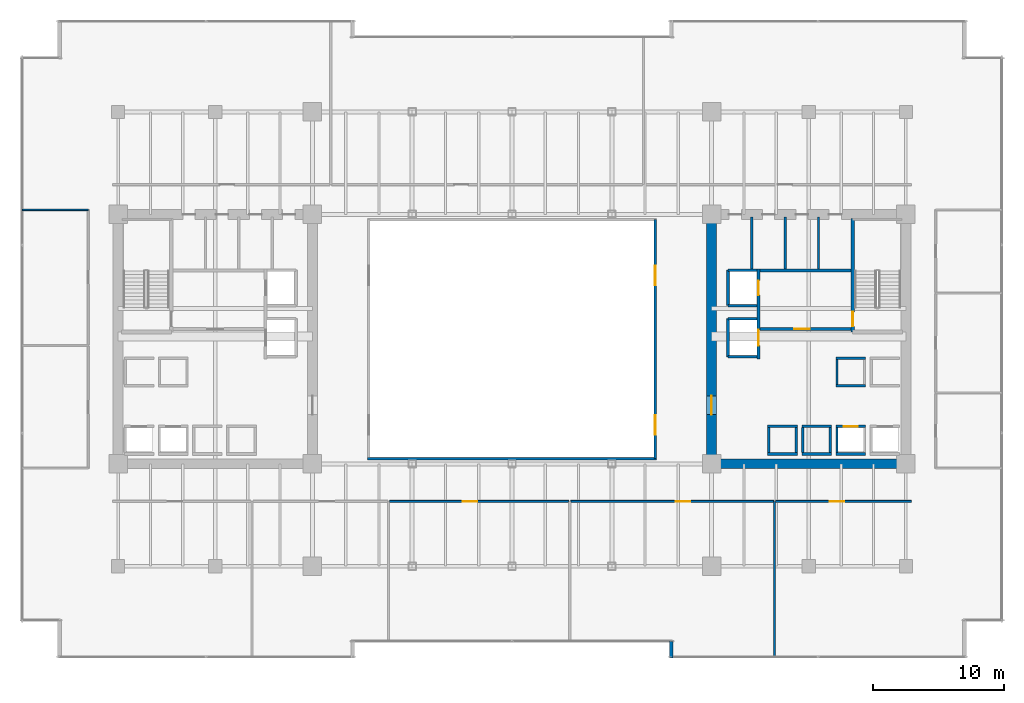
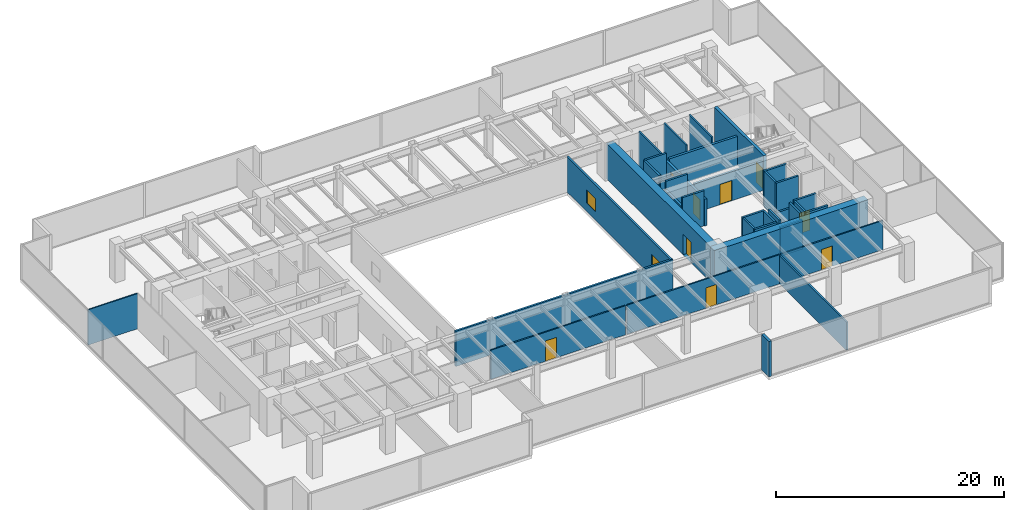
# One storey, part 30 of 35: 37 walls, 9 doors, 2 windows, 11 openings.
"""IFC4 building model written with IfcOpenShell, lengths in metres."""

import ifcopenshell
import ifcopenshell.guid

model = None  # the IFC model being written
_history = None  # IfcOwnerHistory: only IFC2X3 demands one
_inside = {}  # id of a spatial element -> (the spatial element, [elements in it])
_under = {}  # id of a project, library or spatial element -> (it, [spatial elements below it])
_declared = {}  # id of a project -> (the project, [libraries it declares])
_typed = {}  # id of a type object -> (the type object, [elements of that type])
_made_of = {}  # id of a material, layer set ... -> (it, [elements and type objects made of it])


def new_model(schema):
    """Start an empty IFC model of exactly this schema.

    Asked for "IFC4X3", IfcOpenShell would pick the latest addendum, in which some entities
    have other attributes; the version numbers below select the first issue.
    IFC2X3 requires an IfcOwnerHistory on every rooted entity: one is made here for all.
    """
    global model, _history
    if schema == "IFC4X3":
        model = ifcopenshell.file(schema_version=(4, 3, 0, 0))
    else:
        model = ifcopenshell.file(schema=schema)
    _inside.clear()
    _under.clear()
    _declared.clear()
    _typed.clear()
    _made_of.clear()
    _history = None
    if model.schema == "IFC2X3":
        org = make("IfcOrganization", Name="unknown")
        user = make(
            "IfcPersonAndOrganization",
            ThePerson=make("IfcPerson", FamilyName="unknown"),
            TheOrganization=org,
        )
        app = make(
            "IfcApplication",
            ApplicationDeveloper=org,
            Version="unknown",
            ApplicationFullName="unknown",
            ApplicationIdentifier="unknown",
        )
        _history = make(
            "IfcOwnerHistory",
            OwningUser=user,
            OwningApplication=app,
            ChangeAction="ADDED",
            CreationDate=0,
        )
    return model


def make(cls, **values):
    """One entity of the class cls with the attributes given. An attribute that is None is left unset."""
    return model.create_entity(
        cls, **{name: value for name, value in values.items() if value is not None}
    )


def rooted(cls, **values):
    """An entity with a GlobalId (a new one), such as an element, a storey or a relation."""
    return make(cls, GlobalId=ifcopenshell.guid.new(), OwnerHistory=_history, **values)


def si_unit(unit_type, name, prefix=None):
    """IfcSIUnit, for example si_unit("LENGTHUNIT", "METRE", prefix="MILLI")."""
    return make("IfcSIUnit", UnitType=unit_type, Prefix=prefix, Name=name)


def assignment(units):
    """IfcUnitAssignment: the units of a project."""
    return None if units is None else make("IfcUnitAssignment", Units=units)


def point(xyz):
    """IfcCartesianPoint."""
    return None if xyz is None else make("IfcCartesianPoint", Coordinates=xyz)


def direction(xyz):
    """IfcDirection."""
    return None if xyz is None else make("IfcDirection", DirectionRatios=xyz)


def frame(location, z_axis=None, x_axis=None):
    """IfcAxis2Placement3D, a coordinate frame: its origin and axes. An axis left out is left unset."""
    return make(
        "IfcAxis2Placement3D",
        Location=point(location),
        Axis=direction(z_axis),
        RefDirection=direction(x_axis),
    )


def frame_2d(location, x_axis=None):
    """IfcAxis2Placement2D, a coordinate frame in the plane: its origin and x axis."""
    return make(
        "IfcAxis2Placement2D", Location=point(location), RefDirection=direction(x_axis)
    )


def origin():
    """The frame at (0, 0, 0) with its axes left unset."""
    return frame((0.0, 0.0, 0.0))


def place(relative_to, where):
    """IfcLocalPlacement: puts the frame where relative to a parent placement (None: the world)."""
    return make(
        "IfcLocalPlacement", PlacementRelTo=relative_to, RelativePlacement=where
    )


def context(
    kind, dimensions, precision=None, world=None, true_north=None, identifier=None
):
    """IfcGeometricRepresentationContext, for example the 3D "Model" context."""
    return make(
        "IfcGeometricRepresentationContext",
        ContextIdentifier=identifier,
        ContextType=kind,
        CoordinateSpaceDimension=dimensions,
        Precision=precision,
        WorldCoordinateSystem=world,
        TrueNorth=true_north,
    )


def subcontext(parent, identifier, kind, view, scale=None):
    """IfcGeometricRepresentationSubContext, for example "Body" below "Model"."""
    return make(
        "IfcGeometricRepresentationSubContext",
        ContextIdentifier=identifier,
        ContextType=kind,
        ParentContext=parent,
        TargetScale=scale,
        TargetView=view,
    )


def project(units=None, contexts=None):
    """IfcProject with its units and contexts."""
    return rooted(
        "IfcProject",
        Name="project",
        RepresentationContexts=contexts,
        UnitsInContext=assignment(units),
    )


def spatial(cls, under=None, at=None, **own):
    """A site, building, storey or space (cls), placed at a placement, below another one or the project."""
    s = rooted(cls, ObjectPlacement=at, **own)
    if under is not None:
        _under.setdefault(under.id(), (under, []))[1].append(s)
    return s


def profile(cls, at=None, kind="AREA", **sizes):
    """A parametric profile (cls). Its sizes go by their IFC names, for example OverallWidth=200.0."""
    return make(cls, ProfileType=kind, Position=at, **sizes)


def rectangle(**sizes):
    """IfcRectangleProfileDef."""
    return profile("IfcRectangleProfileDef", **sizes)


def extrude(swept, where, along, depth):
    """IfcExtrudedAreaSolid: the profile swept, set in the frame where, extruded along a direction by depth."""
    return make(
        "IfcExtrudedAreaSolid",
        SweptArea=swept,
        Position=where,
        ExtrudedDirection=direction(along),
        Depth=depth,
    )


def shape(context_of_items, identifier, shape_type, items):
    """IfcShapeRepresentation: the items that make up one representation, for example the "Body"."""
    return make(
        "IfcShapeRepresentation",
        ContextOfItems=context_of_items,
        RepresentationIdentifier=identifier,
        RepresentationType=shape_type,
        Items=items,
    )


def source(mapping_origin, context_of_items, identifier, shape_type, items):
    """IfcRepresentationMap: a shape defined once, which mapped items show again and again."""
    return make(
        "IfcRepresentationMap",
        MappingOrigin=mapping_origin,
        MappedRepresentation=shape(context_of_items, identifier, shape_type, items),
    )


def transform(
    local_origin,
    x_axis=None,
    y_axis=None,
    z_axis=None,
    scale=None,
    scale2=None,
    scale3=None,
    uniform=True,
):
    """IfcCartesianTransformationOperator3D, or its non-uniform kind. x_axis, y_axis, z_axis: its Axis1, 2, 3."""
    if uniform:
        return make(
            "IfcCartesianTransformationOperator3D",
            Axis1=direction(x_axis),
            Axis2=direction(y_axis),
            LocalOrigin=point(local_origin),
            Scale=scale,
            Axis3=direction(z_axis),
        )
    return make(
        "IfcCartesianTransformationOperator3DnonUniform",
        Axis1=direction(x_axis),
        Axis2=direction(y_axis),
        LocalOrigin=point(local_origin),
        Scale=scale,
        Axis3=direction(z_axis),
        Scale2=scale2,
        Scale3=scale3,
    )


def mapped(mapping_source, mapping_target):
    """IfcMappedItem: shows the shape of a source again, moved by a transform."""
    return make(
        "IfcMappedItem", MappingSource=mapping_source, MappingTarget=mapping_target
    )


def material(Name=None, Category=None):
    """IfcMaterial."""
    return make("IfcMaterial", Name=Name, Category=Category)


def layer(
    of_material, thickness, ventilated=None, Name=None, Category=None, Priority=None
):
    """IfcMaterialLayer: one layer of a wall or slab, of a material (None: an air gap)."""
    return make(
        "IfcMaterialLayer",
        Material=of_material,
        LayerThickness=thickness,
        IsVentilated=ventilated,
        Name=Name,
        Category=Category,
        Priority=Priority,
    )


def layer_set(layers, Name=None):
    """IfcMaterialLayerSet."""
    return make("IfcMaterialLayerSet", MaterialLayers=layers, LayerSetName=Name)


def made_of(thing, what):
    """Note that an element or type object is made of a material, layer set ...; save() writes the relation."""
    if what is not None:
        _made_of.setdefault(what.id(), (what, []))[1].append(thing)
    return thing


def type_object(cls, material=None, **own):
    """A type object (cls), such as IfcWallType, which elements share."""
    return made_of(rooted(cls, **own), material)


def type_shapes(of_type, sources):
    """Give a type object the sources (RepresentationMaps) that its elements show as mapped items."""
    of_type.RepresentationMaps = sources


def element(
    cls,
    number,
    at=None,
    inside=None,
    cuts=None,
    type_object=None,
    material=None,
    context=None,
    identifier="Body",
    shape_type=None,
    held_by="IfcProductDefinitionShape",
    body=None,
    shapes=None,
    **own,
):
    """One element of the class cls, such as IfcWall. Its Tag is "e" and its number.

    at: its placement. inside: the storey or other place that contains it. cuts: it is an
    opening in that element (IfcRelVoidsElement). A single representation is given by context,
    identifier, shape_type and body (its items); several are given by shapes. held_by: the class
    of the entity that holds the representations. save() writes the other relations.
    """
    e = rooted(cls, Tag="e%d" % number, ObjectPlacement=at, **own)
    if body is not None:
        shapes = [shape(context, identifier, shape_type, body)]
    if shapes is not None:
        e.Representation = make(held_by, Representations=shapes)
    if inside is not None:
        _inside.setdefault(inside.id(), (inside, []))[1].append(e)
    if cuts is not None:
        rooted(
            "IfcRelVoidsElement", RelatingBuildingElement=cuts, RelatedOpeningElement=e
        )
    if type_object is not None:
        _typed.setdefault(type_object.id(), (type_object, []))[1].append(e)
    return made_of(e, material)


def fill(opening, filler):
    """IfcRelFillsElement: the door or window that sits in an opening."""
    return rooted(
        "IfcRelFillsElement",
        RelatingOpeningElement=opening,
        RelatedBuildingElement=filler,
    )


def aggregate(whole, parts):
    """IfcRelAggregates: a whole, such as a stair, and the parts it consists of."""
    return rooted("IfcRelAggregates", RelatingObject=whole, RelatedObjects=parts)


def save(model, path):
    """Write the relations noted so far, then the file.

    IfcRelAggregates (storeys below a building ...), IfcRelContainedInSpatialStructure (elements
    in a storey), IfcRelDefinesByType, IfcRelAssociatesMaterial and IfcRelDeclares: one each for
    every whole, place, type object, material and project.
    """
    for whole, parts in _under.values():
        aggregate(whole, parts)
    for where, things in _inside.values():
        rooted(
            "IfcRelContainedInSpatialStructure",
            RelatedElements=things,
            RelatingStructure=where,
        )
    for kind, things in _typed.values():
        rooted("IfcRelDefinesByType", RelatedObjects=things, RelatingType=kind)
    for what, things in _made_of.values():
        rooted("IfcRelAssociatesMaterial", RelatedObjects=things, RelatingMaterial=what)
    for by, libraries in _declared.values():
        rooted("IfcRelDeclares", RelatingContext=by, RelatedDefinitions=libraries)
    model.write(path)


model = new_model("IFC4")

# Units and contexts
model_context = context("Model", 3, precision=1e-05, world=origin(), true_north=direction((0.0, 1.0)))
body_context = subcontext(model_context, "Body", "Model", "MODEL_VIEW")
ifc_project = project(units=[si_unit("LENGTHUNIT", "METRE"), si_unit("AREAUNIT", "SQUARE_METRE"), si_unit("VOLUMEUNIT", "CUBIC_METRE"), si_unit("PLANEANGLEUNIT", "RADIAN"), si_unit("MASSUNIT", "GRAM", prefix="KILO")], contexts=[model_context])

# Site, building, storey
site_placement = place(None, origin())
site = spatial("IfcSite", under=ifc_project, at=site_placement, CompositionType="ELEMENT")
building_placement = place(site_placement, origin())
building = spatial("IfcBuilding", under=site, at=building_placement, Name="Haelvirn Gate Laboratories", CompositionType="ELEMENT")
storey_placement = place(building_placement, frame((0.0, 0.0, 82.60009765625)))
storey = spatial("IfcBuildingStorey", under=building, at=storey_placement, Name="L20", CompositionType="ELEMENT", Elevation=82.60009765625)

# Walls
ifc_material_1 = material(Name="Thermally-broken bronze aluminium rainscreen & mineral wool", Category="aluminium")
ifc_layer_1 = layer(ifc_material_1, 0.280029296875, Name="EW-TERR-280")
ifc_layer_set_1 = layer_set([ifc_layer_1], Name="Thermally-broken bronze aluminium rainscreen & mineral wool")
wall_type_1 = type_object("IfcWallType", Name="EW-TERR-280", PredefinedType="STANDARD", material=ifc_layer_set_1)
wall_1_placement = place(storey_placement, frame((49.5400390625, 1.2880859375, 0.0), z_axis=(0.0, 0.0, 1.0), x_axis=(0.0, -1.0, 0.0)))
element("IfcWall", 1, at=wall_1_placement, inside=storey, type_object=wall_type_1, Name="L20 Atrium Recess Bronze Return Wall 03", PredefinedType="STANDARD", context=body_context, shape_type="SweptSolid", body=[
    extrude(rectangle(XDim=1.2880859375, YDim=0.280029296875, at=frame_2d((0.64404296875, 0.0))), origin(), (0.0, 0.0, 1.0), 3.77978515625),
])
ifc_material_2 = material(Name="Double-layer acoustic gypsum laboratory partition", Category="gypsum")
ifc_layer_2 = layer(ifc_material_2, 0.159912109375, Name="IW-ACOUST-160")
ifc_layer_set_2 = layer_set([ifc_layer_2], Name="Double-layer acoustic gypsum laboratory partition")
wall_type_2 = type_object("IfcWallType", Name="IW-ACOUST-160", PredefinedType="PARTITIONING", material=ifc_layer_set_2)
wall_2_placement = place(storey_placement, frame((57.39990234375, 0.110107421875, 0.0), z_axis=(0.0, 0.0, 1.0), x_axis=(0.0, 1.0, 0.0)))
element("IfcWall", 2, at=wall_2_placement, inside=storey, type_object=wall_type_2, Name="L20 Interior Wall IW-L20-SDIV-04", PredefinedType="PARTITIONING", context=body_context, shape_type="SweptSolid", body=[
    extrude(rectangle(XDim=11.829833984375, YDim=0.159912109375, at=frame_2d((5.9150390625, 0.0))), origin(), (0.0, 0.0, 1.0), 3.014892578125),
])

# Wall, openings, windows
ifc_material_3 = material(Name="Tempered fire-rated borosilicate glass & anodised aluminium", Category="aluminium")
ifc_layer_3 = layer(ifc_material_3, 0.195068359375, Name="IW-GLAZ-200")
ifc_layer_set_3 = layer_set([ifc_layer_3], Name="Tempered fire-rated borosilicate glass & anodised aluminium")
wall_type_3 = type_object("IfcWallType", Name="IW-GLAZ-200", PredefinedType="SOLIDWALL", material=ifc_layer_set_3)
wall_3_placement = place(storey_placement, frame((48.300048828125, 15.199951171875, 0.0), z_axis=(0.0, 0.0, 1.0), x_axis=(0.0, 1.0, 0.0)))
wall_3 = element("IfcWall", 3, at=wall_3_placement, inside=storey, type_object=wall_type_3, Name="L20 Interior Wall IW-L20-ATRIUM-E", PredefinedType="SOLIDWALL", context=body_context, shape_type="SweptSolid", body=[
    extrude(rectangle(XDim=18.199951171875, YDim=0.195068359375, at=frame_2d((9.10009765625, 0.0))), origin(), (0.0, 0.0, 1.0), 3.77978515625),
])
opening_1_placement = place(wall_3_placement, frame((1.800048828125, 0.0, 0.89990234375)))
opening_1 = element("IfcOpeningElement", 4, at=opening_1_placement, cuts=wall_3, Name="Opening W5", PredefinedType="OPENING", context=body_context, shape_type="SweptSolid", body=[
    extrude(rectangle(XDim=1.5, YDim=1.39990234375, at=frame_2d((0.75, 0.699951171875))), frame((0.0, 0.107421875, 0.0), z_axis=(0.0, -1.0, 0.0), x_axis=(1.0, 0.0, 0.0)), (0.0, 0.0, 1.0), 0.215087890625),
])
opening_2_placement = place(wall_3_placement, frame((13.199951171875, 0.0, 0.89990234375)))
opening_2 = element("IfcOpeningElement", 5, at=opening_2_placement, cuts=wall_3, Name="Opening W5", PredefinedType="OPENING", context=body_context, shape_type="SweptSolid", body=[
    extrude(rectangle(XDim=1.5, YDim=1.39990234375, at=frame_2d((0.75, 0.699951171875))), frame((0.0, 0.107421875, 0.0), z_axis=(0.0, -1.0, 0.0), x_axis=(1.0, 0.0, 0.0)), (0.0, 0.0, 1.0), 0.215087890625),
])
ifc_material_4 = material(Name="Fire-rated EI 120 borosilicate atrium vision glazing", Category="glass")
window_type = type_object("IfcWindowType", Name="WN-ATR-1500", PartitioningType="SINGLE_PANEL", PredefinedType="WINDOW", material=ifc_material_4)
shared_shape_1 = source(origin(), body_context, "Body", "SweptSolid", [
    extrude(rectangle(XDim=1.5, YDim=1.39990234375, at=frame_2d((0.75, 0.699951171875))), frame((0.0, 0.030029296875, 0.0), z_axis=(0.0, -1.0, 0.0), x_axis=(1.0, 0.0, 0.0)), (0.0, 0.0, 1.0), 0.06005859375),
])
type_shapes(window_type, [shared_shape_1])
window_1_placement = place(opening_1_placement, origin())
window_1 = element("IfcWindow", 6, at=window_1_placement, inside=storey, type_object=window_type, Name="L20 Atrium Observation Window 1", OverallHeight=1.39990234375, OverallWidth=1.5, PartitioningType="SINGLE_PANEL", PredefinedType="WINDOW", context=body_context, shape_type="MappedRepresentation", body=[
    mapped(shared_shape_1, transform((0.0, 0.0, 0.0), scale=1.0)),
])
fill(opening_1, window_1)
window_2_placement = place(opening_2_placement, origin())
window_2 = element("IfcWindow", 7, at=window_2_placement, inside=storey, type_object=window_type, Name="L20 Atrium Observation Window 2", OverallHeight=1.39990234375, OverallWidth=1.5, PartitioningType="SINGLE_PANEL", PredefinedType="WINDOW", context=body_context, shape_type="MappedRepresentation", body=[
    mapped(shared_shape_1, transform((0.0, 0.0, 0.0), scale=1.0)),
])
fill(opening_2, window_2)

# Walls
wall_4_placement = place(storey_placement, frame((26.39990234375, 15.199951171875, 0.0), z_axis=(0.0, 0.0, 1.0), x_axis=(1.0, 0.0, 0.0)))
element("IfcWall", 8, at=wall_4_placement, inside=storey, type_object=wall_type_3, Name="L20 Interior Wall IW-L20-ATRIUM-S", PredefinedType="SOLIDWALL", context=body_context, shape_type="SweptSolid", body=[
    extrude(rectangle(XDim=22.0, YDim=0.195068359375, at=frame_2d((11.0, 0.0))), origin(), (0.0, 0.0, 1.0), 3.77978515625),
])
ifc_material_5 = material(Name="Lightweight acoustic gypsum board partition", Category="gypsum")
ifc_layer_4 = layer(ifc_material_5, 0.1201171875, Name="IW-PART-120")
ifc_layer_set_4 = layer_set([ifc_layer_4], Name="Lightweight acoustic gypsum board partition")
wall_type_4 = type_object("IfcWallType", Name="IW-PART-120", PredefinedType="PARTITIONING", material=ifc_layer_set_4)
wall_5_placement = place(storey_placement, frame((0.110107421875, 34.135009765625, 0.0), z_axis=(0.0, 0.0, 1.0), x_axis=(1.0, 0.0, 0.0)))
element("IfcWall", 9, at=wall_5_placement, inside=storey, type_object=wall_type_4, Name="L20 Interior Wall IW-L20-WCAP-N", PredefinedType="PARTITIONING", context=body_context, shape_type="SweptSolid", body=[
    extrude(rectangle(XDim=5.019775390625, YDim=0.1201171875, at=frame_2d((2.509765625, 0.0))), origin(), (0.0, 0.0, 1.0), 3.77978515625),
])

# Wall, opening, door
ifc_material_6 = material(Name="Acoustic mineral-wool gypsum board partition", Category="gypsum")
ifc_layer_5 = layer(ifc_material_6, 0.139892578125, Name="IW-PART-140")
ifc_layer_set_5 = layer_set([ifc_layer_5], Name="Acoustic mineral-wool gypsum board partition")
wall_type_5 = type_object("IfcWallType", Name="IW-PART-140", PredefinedType="PARTITIONING", material=ifc_layer_set_5)
wall_6_placement = place(storey_placement, frame((28.080078125, 11.93994140625, 0.0), z_axis=(0.0, 0.0, 1.0), x_axis=(1.0, 0.0, 0.0)))
wall_6 = element("IfcWall", 10, at=wall_6_placement, inside=storey, type_object=wall_type_5, Name="L20 Interior Wall IW-L20-SCORR-03", PredefinedType="PARTITIONING", context=body_context, shape_type="SweptSolid", body=[
    extrude(rectangle(XDim=13.639892578125, YDim=0.139892578125, at=frame_2d((6.81982421875, 0.0))), origin(), (0.0, 0.0, 1.0), 3.114990234375),
])
opening_3_placement = place(wall_6_placement, frame((5.5595703125, 0.0, 0.0)))
opening_3 = element("IfcOpeningElement", 11, at=opening_3_placement, cuts=wall_6, Name="Opening D1", PredefinedType="OPENING", context=body_context, shape_type="SweptSolid", body=[
    extrude(rectangle(XDim=1.10009765625, YDim=2.179931640625, at=frame_2d((0.550048828125, 1.08984375))), frame((0.0, 0.080078125, 0.0), z_axis=(0.0, -1.0, 0.0), x_axis=(1.0, 0.0, 0.0)), (0.0, 0.0, 1.0), 0.159912109375),
])
ifc_material_7 = material(Name="Vision-panel acoustic solid-core timber lab door", Category="wood")
door_type_1 = type_object("IfcDoorType", Name="DR-LAB-1100", OperationType="NOTDEFINED", PredefinedType="DOOR", material=ifc_material_7)
shared_shape_2 = source(origin(), body_context, "Body", "SweptSolid", [
    extrude(rectangle(XDim=1.10009765625, YDim=2.179931640625, at=frame_2d((0.550048828125, 1.08984375))), frame((0.0, 0.02490234375, 0.0), z_axis=(0.0, -1.0, 0.0), x_axis=(1.0, 0.0, 0.0)), (0.0, 0.0, 1.0), 0.050048828125),
])
type_shapes(door_type_1, [shared_shape_2])
door_1_placement = place(opening_3_placement, origin())
door_1 = element("IfcDoor", 12, at=door_1_placement, inside=storey, type_object=door_type_1, Name="L20 Peer-Review Seminar Room Door S3", OperationType="SINGLE_SWING_LEFT", OverallHeight=2.179931640625, OverallWidth=1.10009765625, PredefinedType="DOOR", context=body_context, shape_type="MappedRepresentation", body=[
    mapped(shared_shape_2, transform((0.0, 0.0, 0.0), scale=1.0)),
])
fill(opening_3, door_1)

wall_7_placement = place(storey_placement, frame((41.8798828125, 11.93994140625, 0.0), z_axis=(0.0, 0.0, 1.0), x_axis=(1.0, 0.0, 0.0)))
wall_7 = element("IfcWall", 13, at=wall_7_placement, inside=storey, type_object=wall_type_5, Name="L20 Interior Wall IW-L20-SCORR-04", PredefinedType="PARTITIONING", context=body_context, shape_type="SweptSolid", body=[
    extrude(rectangle(XDim=15.440185546875, YDim=0.139892578125, at=frame_2d((7.72021484375, 0.0))), origin(), (0.0, 0.0, 1.0), 3.114990234375),
])
opening_4_placement = place(wall_7_placement, frame((7.98828125, 0.0, 0.0)))
opening_4 = element("IfcOpeningElement", 14, at=opening_4_placement, cuts=wall_7, Name="Opening D1", PredefinedType="OPENING", context=body_context, shape_type="SweptSolid", body=[
    extrude(rectangle(XDim=1.10009765625, YDim=2.179931640625, at=frame_2d((0.550048828125, 1.08984375))), frame((0.0, 0.080078125, 0.0), z_axis=(0.0, -1.0, 0.0), x_axis=(1.0, 0.0, 0.0)), (0.0, 0.0, 1.0), 0.159912109375),
])
door_2_placement = place(opening_4_placement, origin())
door_2 = element("IfcDoor", 15, at=door_2_placement, inside=storey, type_object=door_type_1, Name="L20 Colloquium Conference Room Door S4", OperationType="SINGLE_SWING_RIGHT", OverallHeight=2.179931640625, OverallWidth=1.10009765625, PredefinedType="DOOR", context=body_context, shape_type="MappedRepresentation", body=[
    mapped(shared_shape_2, transform((0.0, 0.0, 0.0), scale=1.0)),
])
fill(opening_4, door_2)

wall_8_placement = place(storey_placement, frame((57.47998046875, 11.93994140625, 0.0), z_axis=(0.0, 0.0, 1.0), x_axis=(1.0, 0.0, 0.0)))
wall_8 = element("IfcWall", 16, at=wall_8_placement, inside=storey, type_object=wall_type_5, Name="L20 Interior Wall IW-L20-SCORR-05", PredefinedType="PARTITIONING", context=body_context, shape_type="SweptSolid", body=[
    extrude(rectangle(XDim=10.340087890625, YDim=0.139892578125, at=frame_2d((5.169921875, 0.0))), origin(), (0.0, 0.0, 1.0), 3.114990234375),
])
opening_5_placement = place(wall_8_placement, frame((4.107666015625, 0.0, 0.0)))
opening_5 = element("IfcOpeningElement", 17, at=opening_5_placement, cuts=wall_8, Name="Opening D1", PredefinedType="OPENING", context=body_context, shape_type="SweptSolid", body=[
    extrude(rectangle(XDim=1.10009765625, YDim=2.179931640625, at=frame_2d((0.550048828125, 1.08984375))), frame((0.0, 0.080078125, 0.0), z_axis=(0.0, -1.0, 0.0), x_axis=(1.0, 0.0, 0.0)), (0.0, 0.0, 1.0), 0.159912109375),
])
door_3_placement = place(opening_5_placement, origin())
door_3 = element("IfcDoor", 18, at=door_3_placement, inside=storey, type_object=door_type_1, Name="L20 Protocol Briefing Training Room Door S5", OperationType="SINGLE_SWING_LEFT", OverallHeight=2.179931640625, OverallWidth=1.10009765625, PredefinedType="DOOR", context=body_context, shape_type="MappedRepresentation", body=[
    mapped(shared_shape_2, transform((0.0, 0.0, 0.0), scale=1.0)),
])
fill(opening_5, door_3)

# Walls
ifc_material_8 = material(Name="Cement-board restroom plumbing chase wall", Category="gypsum")
ifc_layer_6 = layer(ifc_material_8, 0.155029296875, Name="IW-PLUMB-160")
ifc_layer_set_6 = layer_set([ifc_layer_6], Name="Cement-board restroom plumbing chase wall")
wall_type_6 = type_object("IfcWallType", Name="IW-PLUMB-160", PredefinedType="PLUMBINGWALL", material=ifc_layer_set_6)
for number, where, z_axis, x_axis, name in (
    (19, (60.760009765625, 29.64990234375, 0.0), (0.0, 0.0, 1.0), (0.0, 1.0, 0.0), "L20 Interior Wall IW-L20-E-CDIV-1"),
    (20, (58.2099609375, 29.64990234375, 0.0), (0.0, 0.0, 1.0), (0.0, 1.0, 0.0), "L20 Interior Wall IW-L20-E-CDIV-2"),
    (21, (55.659912109375, 29.64990234375, 0.0), (0.0, 0.0, 1.0), (0.0, 1.0, 0.0), "L20 Interior Wall IW-L20-E-CDIV-3"),
):
    element("IfcWall", number, at=place(storey_placement, frame(where, z_axis=z_axis, x_axis=x_axis)), inside=storey, type_object=wall_type_6, Name=name, PredefinedType="PLUMBINGWALL", context=body_context, shape_type="SweptSolid", body=[
        extrude(rectangle(XDim=3.93017578125, YDim=0.155029296875, at=frame_2d((1.965087890625, 0.0))), origin(), (0.0, 0.0, 1.0), 3.77978515625),
    ])
ifc_material_9 = material(Name="Concrete C40/50", Category="concrete")
ifc_layer_7 = layer(ifc_material_9, 0.179931640625, Name="IW-SHAFT-180")
ifc_layer_set_7 = layer_set([ifc_layer_7], Name="Concrete C40/50")
wall_type_7 = type_object("IfcWallType", Name="IW-SHAFT-180", PredefinedType="SOLIDWALL", material=ifc_layer_set_7)
for number, where, z_axis, x_axis, name in (
    (22, (62.14990234375, 15.64990234375, 0.0), (0.0, 0.0, 1.0), (0.0, 1.0, 0.0), "L20 Interior Wall IW-L20-PL4-SD"),
    (23, (59.550048828125, 15.64990234375, 0.0), (0.0, 0.0, 1.0), (0.0, 1.0, 0.0), "L20 Interior Wall IW-L20-PL7-SD"),
    (24, (61.64990234375, 15.64990234375, 0.0), (0.0, 0.0, 1.0), (0.0, 1.0, 0.0), "L20 Interior Wall IW-L20-PL7-SDE"),
    (25, (56.949951171875, 15.64990234375, 0.0), (0.0, 0.0, 1.0), (0.0, 1.0, 0.0), "L20 Interior Wall IW-L20-PL8-SD"),
    (26, (59.050048828125, 15.64990234375, 0.0), (0.0, 0.0, 1.0), (0.0, 1.0, 0.0), "L20 Interior Wall IW-L20-PL8-SDE"),
):
    element("IfcWall", number, at=place(storey_placement, frame(where, z_axis=z_axis, x_axis=x_axis)), inside=storey, type_object=wall_type_7, Name=name, PredefinedType="SOLIDWALL", context=body_context, shape_type="SweptSolid", body=[
        extrude(rectangle(XDim=1.900146484375, YDim=0.179931640625, at=frame_2d((0.9501953125, 0.0))), origin(), (0.0, 0.0, 1.0), 3.77978515625),
    ])
wall_9_placement = place(storey_placement, frame((62.14990234375, 20.85009765625, 0.0), z_axis=(0.0, 0.0, 1.0), x_axis=(0.0, 1.0, 0.0)))
element("IfcWall", 27, at=wall_9_placement, inside=storey, type_object=wall_type_7, Name="L20 Interior Wall IW-L20-PL12-SD", PredefinedType="SOLIDWALL", context=body_context, shape_type="SweptSolid", body=[
    extrude(rectangle(XDim=1.89990234375, YDim=0.179931640625, at=frame_2d((0.949951171875, 0.0))), origin(), (0.0, 0.0, 1.0), 3.77978515625),
])

# Wall, opening, door
ifc_layer_8 = layer(ifc_material_9, 0.199951171875, Name="IW-SHAFT-200")
ifc_layer_set_8 = layer_set([ifc_layer_8], Name="Concrete C40/50")
wall_type_8 = type_object("IfcWallType", Name="IW-SHAFT-200", PredefinedType="SOLIDWALL", material=ifc_layer_set_8)
wall_10_placement = place(storey_placement, frame((62.070068359375, 17.64990234375, 0.0), z_axis=(0.0, 0.0, 1.0), x_axis=(1.0, 0.0, 0.0)))
wall_10 = element("IfcWall", 28, at=wall_10_placement, inside=storey, type_object=wall_type_8, Name="L20 Interior Wall IW-L20-PL4-FR", PredefinedType="SOLIDWALL", context=body_context, shape_type="SweptSolid", body=[
    extrude(rectangle(XDim=2.260009765625, YDim=0.199951171875, at=frame_2d((1.1298828125, 0.0))), origin(), (0.0, 0.0, 1.0), 3.77978515625),
])
opening_6_placement = place(wall_10_placement, frame((0.580078125, 0.0, 0.0)))
opening_6 = element("IfcOpeningElement", 29, at=opening_6_placement, cuts=wall_10, Name="Opening LD2", PredefinedType="OPENING", context=body_context, shape_type="SweptSolid", body=[
    extrude(rectangle(XDim=1.10009765625, YDim=2.219970703125, at=frame_2d((0.550048828125, 1.10986328125))), frame((0.0, 0.10986328125, 0.0), z_axis=(0.0, -1.0, 0.0), x_axis=(1.0, 0.0, 0.0)), (0.0, 0.0, 1.0), 0.219970703125),
])
ifc_material_10 = material(Name="Bronze stainless 316L sliding lift landing door")
door_type_2 = type_object("IfcDoorType", Name="DR-LD-1100", OperationType="NOTDEFINED", PredefinedType="USERDEFINED", material=ifc_material_10)
shared_shape_3 = source(origin(), body_context, "Body", "SweptSolid", [
    extrude(rectangle(XDim=1.10009765625, YDim=2.219970703125, at=frame_2d((0.550048828125, 1.10986328125))), frame((0.0, 0.02490234375, 0.0), z_axis=(0.0, -1.0, 0.0), x_axis=(1.0, 0.0, 0.0)), (0.0, 0.0, 1.0), 0.050048828125),
])
type_shapes(door_type_2, [shared_shape_3])
door_4_placement = place(opening_6_placement, origin())
door_4 = element("IfcDoor", 30, at=door_4_placement, inside=storey, type_object=door_type_2, Name="L20 Passenger Lift PL4 Landing Door", ObjectType="LANDING_DOOR", OperationType="SLIDING_TO_RIGHT", OverallHeight=2.219970703125, OverallWidth=1.10009765625, PredefinedType="USERDEFINED", context=body_context, shape_type="MappedRepresentation", body=[
    mapped(shared_shape_3, transform((0.0, 0.0, 0.0), scale=1.0)),
])
fill(opening_6, door_4)

# Walls
wall_11_placement = place(storey_placement, frame((62.070068359375, 15.550048828125, 0.0), z_axis=(0.0, 0.0, 1.0), x_axis=(1.0, 0.0, 0.0)))
element("IfcWall", 31, at=wall_11_placement, inside=storey, type_object=wall_type_8, Name="L20 Interior Wall IW-L20-PL4-BK", PredefinedType="SOLIDWALL", context=body_context, shape_type="SweptSolid", body=[
    extrude(rectangle(XDim=2.260009765625, YDim=0.199951171875, at=frame_2d((1.1298828125, 0.0))), origin(), (0.0, 0.0, 1.0), 3.77978515625),
])
for number, where, z_axis, x_axis, name in (
    (32, (59.469970703125, 17.64990234375, 0.0), (0.0, 0.0, 1.0), (1.0, 0.0, 0.0), "L20 Interior Wall IW-L20-PL7-FR"),
    (33, (59.469970703125, 15.550048828125, 0.0), (0.0, 0.0, 1.0), (1.0, 0.0, 0.0), "L20 Interior Wall IW-L20-PL7-BK"),
):
    element("IfcWall", number, at=place(storey_placement, frame(where, z_axis=z_axis, x_axis=x_axis)), inside=storey, type_object=wall_type_8, Name=name, PredefinedType="SOLIDWALL", context=body_context, shape_type="SweptSolid", body=[
        extrude(rectangle(XDim=2.260009765625, YDim=0.199951171875, at=frame_2d((1.1298828125, 0.0))), origin(), (0.0, 0.0, 1.0), 3.114990234375),
    ])
for number, where, z_axis, x_axis, name in (
    (34, (56.8701171875, 17.64990234375, 0.0), (0.0, 0.0, 1.0), (1.0, 0.0, 0.0), "L20 Interior Wall IW-L20-PL8-FR"),
    (35, (56.8701171875, 15.550048828125, 0.0), (0.0, 0.0, 1.0), (1.0, 0.0, 0.0), "L20 Interior Wall IW-L20-PL8-BK"),
):
    element("IfcWall", number, at=place(storey_placement, frame(where, z_axis=z_axis, x_axis=x_axis)), inside=storey, type_object=wall_type_8, Name=name, PredefinedType="SOLIDWALL", context=body_context, shape_type="SweptSolid", body=[
        extrude(rectangle(XDim=2.259765625, YDim=0.199951171875, at=frame_2d((1.1298828125, 0.0))), origin(), (0.0, 0.0, 1.0), 3.77978515625),
    ])
for number, where, z_axis, x_axis, name in (
    (36, (62.070068359375, 20.75, 0.0), (0.0, 0.0, 1.0), (1.0, 0.0, 0.0), "L20 Interior Wall IW-L20-PL12-FR"),
    (37, (62.070068359375, 22.85009765625, 0.0), (0.0, 0.0, 1.0), (1.0, 0.0, 0.0), "L20 Interior Wall IW-L20-PL12-BK"),
):
    element("IfcWall", number, at=place(storey_placement, frame(where, z_axis=z_axis, x_axis=x_axis)), inside=storey, type_object=wall_type_8, Name=name, PredefinedType="SOLIDWALL", context=body_context, shape_type="SweptSolid", body=[
        extrude(rectangle(XDim=2.260009765625, YDim=0.199951171875, at=frame_2d((1.1298828125, 0.0))), origin(), (0.0, 0.0, 1.0), 3.77978515625),
    ])
wall_12_placement = place(storey_placement, frame((53.85009765625, 26.85009765625, 0.0), z_axis=(0.0, 0.0, 1.0), x_axis=(0.0, 1.0, 0.0)))
element("IfcWall", 38, at=wall_12_placement, inside=storey, type_object=wall_type_8, Name="L20 Interior Wall IW-L20-FL2-BK", PredefinedType="SOLIDWALL", context=body_context, shape_type="SweptSolid", body=[
    extrude(rectangle(XDim=2.699951171875, YDim=0.199951171875, at=frame_2d((1.35009765625, 0.0))), origin(), (0.0, 0.0, 1.0), 3.77978515625),
])
wall_13_placement = place(storey_placement, frame((53.85009765625, 29.550048828125, 0.0), z_axis=(0.0, 0.0, 1.0), x_axis=(1.0, 0.0, 0.0)))
element("IfcWall", 39, at=wall_13_placement, inside=storey, type_object=wall_type_8, Name="L20 Interior Wall IW-L20-FL2-N", PredefinedType="SOLIDWALL", context=body_context, shape_type="SweptSolid", body=[
    extrude(rectangle(XDim=2.18994140625, YDim=0.199951171875, at=frame_2d((1.094970703125, 0.0))), origin(), (0.0, 0.0, 1.0), 3.77978515625),
])
wall_14_placement = place(storey_placement, frame((53.85009765625, 26.85009765625, 0.0), z_axis=(0.0, 0.0, 1.0), x_axis=(1.0, 0.0, 0.0)))
element("IfcWall", 40, at=wall_14_placement, inside=storey, type_object=wall_type_8, Name="L20 Interior Wall IW-L20-FL2-S", PredefinedType="SOLIDWALL", context=body_context, shape_type="SweptSolid", body=[
    extrude(rectangle(XDim=2.18994140625, YDim=0.199951171875, at=frame_2d((1.094970703125, 0.0))), origin(), (0.0, 0.0, 1.0), 3.177001953125),
])
wall_15_placement = place(storey_placement, frame((53.85009765625, 22.949951171875, 0.0), z_axis=(0.0, 0.0, 1.0), x_axis=(0.0, 1.0, 0.0)))
element("IfcWall", 41, at=wall_15_placement, inside=storey, type_object=wall_type_8, Name="L20 Interior Wall IW-L20-SL2-BK", PredefinedType="SOLIDWALL", context=body_context, shape_type="SweptSolid", body=[
    extrude(rectangle(XDim=2.900146484375, YDim=0.199951171875, at=frame_2d((1.4501953125, 0.0))), origin(), (0.0, 0.0, 1.0), 2.864990234375),
])
for number, where, z_axis, x_axis, name in (
    (42, (53.85009765625, 25.85009765625, 0.0), (0.0, 0.0, 1.0), (1.0, 0.0, 0.0), "L20 Interior Wall IW-L20-SL2-N"),
    (43, (53.85009765625, 22.949951171875, 0.0), (0.0, 0.0, 1.0), (1.0, 0.0, 0.0), "L20 Interior Wall IW-L20-SL2-S"),
):
    element("IfcWall", number, at=place(storey_placement, frame(where, z_axis=z_axis, x_axis=x_axis)), inside=storey, type_object=wall_type_8, Name=name, PredefinedType="SOLIDWALL", context=body_context, shape_type="SweptSolid", body=[
        extrude(rectangle(XDim=2.18994140625, YDim=0.199951171875, at=frame_2d((1.094970703125, 0.0))), origin(), (0.0, 0.0, 1.0), 3.77978515625),
    ])

# Wall, opening, door
ifc_layer_9 = layer(ifc_material_9, 0.239990234375, Name="IW-SHAFT-240")
ifc_layer_set_9 = layer_set([ifc_layer_9], Name="Concrete C40/50")
wall_type_9 = type_object("IfcWallType", Name="IW-SHAFT-240", PredefinedType="SOLIDWALL", material=ifc_layer_set_9)
wall_16_placement = place(storey_placement, frame((56.280029296875, 25.080078125, 0.0), z_axis=(0.0, 0.0, 1.0), x_axis=(1.0, 0.0, 0.0)))
wall_16 = element("IfcWall", 44, at=wall_16_placement, inside=storey, type_object=wall_type_9, Name="L20 Interior Wall IW-L20-E-FF-S", PredefinedType="SOLIDWALL", context=body_context, shape_type="SweptSolid", body=[
    extrude(rectangle(XDim=6.919921875, YDim=0.239990234375, at=frame_2d((3.4599609375, 0.0))), origin(), (0.0, 0.0, 1.0), 3.114990234375),
])
opening_7_placement = place(wall_16_placement, frame((2.60009765625, 0.0, 0.0)))
opening_7 = element("IfcOpeningElement", 45, at=opening_7_placement, cuts=wall_16, Name="Opening FD2", PredefinedType="OPENING", context=body_context, shape_type="SweptSolid", body=[
    extrude(rectangle(XDim=1.199951171875, YDim=2.159912109375, at=frame_2d((0.60009765625, 1.080078125))), frame((0.0, 0.1298828125, 0.0), z_axis=(0.0, -1.0, 0.0), x_axis=(1.0, 0.0, 0.0)), (0.0, 0.0, 1.0), 0.260009765625),
])
ifc_material_11 = material(Name="Fire-rated steel SM355 compartment door", Category="steel")
door_type_3 = type_object("IfcDoorType", Name="DR-FD-1200", OperationType="NOTDEFINED", PredefinedType="DOOR", material=ifc_material_11)
shared_shape_4 = source(origin(), body_context, "Body", "SweptSolid", [
    extrude(rectangle(XDim=1.199951171875, YDim=2.159912109375, at=frame_2d((0.60009765625, 1.080078125))), frame((0.0, 0.02490234375, 0.0), z_axis=(0.0, -1.0, 0.0), x_axis=(1.0, 0.0, 0.0)), (0.0, 0.0, 1.0), 0.050048828125),
])
type_shapes(door_type_3, [shared_shape_4])
door_5_placement = place(opening_7_placement, origin())
door_5 = element("IfcDoor", 46, at=door_5_placement, inside=storey, type_object=door_type_3, Name="L20 East Firefighting Lobby Door", OperationType="SINGLE_SWING_LEFT", OverallHeight=2.159912109375, OverallWidth=1.199951171875, PredefinedType="DOOR", context=body_context, shape_type="MappedRepresentation", body=[
    mapped(shared_shape_4, transform((0.0, 0.0, 0.0), scale=1.0)),
])
fill(opening_7, door_5)

# Wall
wall_17_placement = place(storey_placement, frame((56.280029296875, 29.52001953125, 0.0), z_axis=(0.0, 0.0, 1.0), x_axis=(1.0, 0.0, 0.0)))
element("IfcWall", 47, at=wall_17_placement, inside=storey, type_object=wall_type_9, Name="L20 Interior Wall IW-L20-E-FF-N", PredefinedType="SOLIDWALL", context=body_context, shape_type="SweptSolid", body=[
    extrude(rectangle(XDim=6.919921875, YDim=0.239990234375, at=frame_2d((3.4599609375, 0.0))), origin(), (0.0, 0.0, 1.0), 3.114990234375),
])

# Wall, openings, doors
wall_18_placement = place(storey_placement, frame((56.159912109375, 22.800048828125, 0.0), z_axis=(0.0, 0.0, 1.0), x_axis=(0.0, 1.0, 0.0)))
wall_18 = element("IfcWall", 48, at=wall_18_placement, inside=storey, type_object=wall_type_9, Name="L20 Interior Wall IW-L20-E-FF-E", PredefinedType="SOLIDWALL", context=body_context, shape_type="SweptSolid", body=[
    extrude(rectangle(XDim=6.849853515625, YDim=0.239990234375, at=frame_2d((3.4248046875, 0.0))), origin(), (0.0, 0.0, 1.0), 2.864990234375),
])
opening_8_placement = place(wall_18_placement, frame((4.85009765625, 0.0, 0.0)))
opening_8 = element("IfcOpeningElement", 49, at=opening_8_placement, cuts=wall_18, Name="Opening LD2", PredefinedType="OPENING", context=body_context, shape_type="SweptSolid", body=[
    extrude(rectangle(XDim=1.10009765625, YDim=2.219970703125, at=frame_2d((0.550048828125, 1.10986328125))), frame((0.0, 0.1298828125, 0.0), z_axis=(0.0, -1.0, 0.0), x_axis=(1.0, 0.0, 0.0)), (0.0, 0.0, 1.0), 0.260009765625),
])
opening_9_placement = place(wall_18_placement, frame((1.0, 0.0, 0.0)))
opening_9 = element("IfcOpeningElement", 50, at=opening_9_placement, cuts=wall_18, Name="Opening LD1", PredefinedType="OPENING", context=body_context, shape_type="SweptSolid", body=[
    extrude(rectangle(XDim=1.199951171875, YDim=2.219970703125, at=frame_2d((0.60009765625, 1.10986328125))), frame((0.0, 0.1298828125, 0.0), z_axis=(0.0, -1.0, 0.0), x_axis=(1.0, 0.0, 0.0)), (0.0, 0.0, 1.0), 0.260009765625),
])
door_6_placement = place(opening_8_placement, origin())
door_6 = element("IfcDoor", 51, at=door_6_placement, inside=storey, type_object=door_type_2, Name="L20 Firefighting Lift FL2 Landing Door", ObjectType="LANDING_DOOR", OperationType="SLIDING_TO_RIGHT", OverallHeight=2.219970703125, OverallWidth=1.10009765625, PredefinedType="USERDEFINED", context=body_context, shape_type="MappedRepresentation", body=[
    mapped(shared_shape_3, transform((0.0, 0.0, 0.0), scale=1.0)),
])
fill(opening_8, door_6)
ifc_material_12 = material(Name="Stainless steel 316L sliding goods landing door", Category="steel")
door_type_4 = type_object("IfcDoorType", Name="DR-LD-1200", OperationType="NOTDEFINED", PredefinedType="USERDEFINED", material=ifc_material_12)
shared_shape_5 = source(origin(), body_context, "Body", "SweptSolid", [
    extrude(rectangle(XDim=1.199951171875, YDim=2.219970703125, at=frame_2d((0.60009765625, 1.10986328125))), frame((0.0, 0.02490234375, 0.0), z_axis=(0.0, -1.0, 0.0), x_axis=(1.0, 0.0, 0.0)), (0.0, 0.0, 1.0), 0.050048828125),
])
type_shapes(door_type_4, [shared_shape_5])
door_7_placement = place(opening_9_placement, origin())
door_7 = element("IfcDoor", 52, at=door_7_placement, inside=storey, type_object=door_type_4, Name="L20 Service Lift SL2 Landing Door", ObjectType="LANDING_DOOR", OperationType="SLIDING_TO_LEFT", OverallHeight=2.219970703125, OverallWidth=1.199951171875, PredefinedType="USERDEFINED", context=body_context, shape_type="MappedRepresentation", body=[
    mapped(shared_shape_5, transform((0.0, 0.0, 0.0), scale=1.0)),
])
fill(opening_9, door_7)

# Wall
ifc_material_13 = material(Name="Concrete C70/85", Category="concrete")
ifc_layer_10 = layer(ifc_material_13, 0.75, Name="SW-CORE-750")
ifc_layer_set_10 = layer_set([ifc_layer_10], Name="Concrete C70/85")
wall_type_10 = type_object("IfcWallType", Name="SW-CORE-750", PredefinedType="SHEAR", material=ifc_layer_set_10)
wall_19_placement = place(storey_placement, frame((52.22509765625, 14.800048828125, 0.0), z_axis=(0.0, 0.0, 1.0), x_axis=(1.0, 0.0, 0.0)))
element("IfcWall", 53, at=wall_19_placement, inside=storey, type_object=wall_type_10, Name="L20 E Core Shear Wall S", PredefinedType="SHEAR", context=body_context, shape_type="SweptSolid", body=[
    extrude(rectangle(XDim=15.5498046875, YDim=0.75, at=frame_2d((7.77490234375, 0.0))), origin(), (0.0, 0.0, 1.0), 3.77978515625),
])

# Wall, opening, door
wall_20_placement = place(storey_placement, frame((52.60009765625, 15.175048828125, 0.0), z_axis=(0.0, 0.0, 1.0), x_axis=(0.0, 1.0, 0.0)))
wall_20 = element("IfcWall", 54, at=wall_20_placement, inside=storey, type_object=wall_type_10, Name="L20 E Core Shear Wall W", PredefinedType="SHEAR", context=body_context, shape_type="SweptSolid", body=[
    extrude(rectangle(XDim=18.25, YDim=0.75, at=frame_2d((9.125, 0.0))), origin(), (0.0, 0.0, 1.0), 3.77978515625),
])
opening_10_placement = place(wall_20_placement, frame((3.375, 0.0, 0.0)))
opening_10 = element("IfcOpeningElement", 55, at=opening_10_placement, cuts=wall_20, Name="Opening FD1", PredefinedType="OPENING", context=body_context, shape_type="SweptSolid", body=[
    extrude(rectangle(XDim=1.419921875, YDim=2.199951171875, at=frame_2d((0.7099609375, 1.10009765625))), frame((0.0, 0.385009765625, 0.0), z_axis=(0.0, -1.0, 0.0), x_axis=(1.0, 0.0, 0.0)), (0.0, 0.0, 1.0), 0.77001953125),
])
ifc_material_14 = material(Name="Fire-rated double steel SM355 lobby door", Category="steel")
door_type_5 = type_object("IfcDoorType", Name="DR-FD-1400", OperationType="NOTDEFINED", PredefinedType="DOOR", material=ifc_material_14)
shared_shape_6 = source(origin(), body_context, "Body", "SweptSolid", [
    extrude(rectangle(XDim=1.419921875, YDim=2.199951171875, at=frame_2d((0.7099609375, 1.10009765625))), frame((0.0, 0.02490234375, 0.0), z_axis=(0.0, -1.0, 0.0), x_axis=(1.0, 0.0, 0.0)), (0.0, 0.0, 1.0), 0.050048828125),
])
type_shapes(door_type_5, [shared_shape_6])
door_8_placement = place(opening_10_placement, origin())
door_8 = element("IfcDoor", 56, at=door_8_placement, inside=storey, type_object=door_type_5, Name="L20 East Core Lift Lobby Fire Door", OperationType="DOUBLE_DOOR_SINGLE_SWING", OverallHeight=2.199951171875, OverallWidth=1.419921875, PredefinedType="DOOR", context=body_context, shape_type="MappedRepresentation", body=[
    mapped(shared_shape_6, transform((0.0, 0.0, 0.0), scale=1.0)),
])
fill(opening_10, door_8)

ifc_material_15 = material(Name="Concrete C50/60", Category="concrete")
ifc_layer_11 = layer(ifc_material_15, 0.300048828125, Name="SW-STAIR-300")
ifc_layer_set_11 = layer_set([ifc_layer_11], Name="Concrete C50/60")
wall_type_11 = type_object("IfcWallType", Name="SW-STAIR-300", PredefinedType="SHEAR", material=ifc_layer_set_11)
wall_21_placement = place(storey_placement, frame((63.35009765625, 24.85009765625, 0.0), z_axis=(0.0, 0.0, 1.0), x_axis=(0.0, 1.0, 0.0)))
wall_21 = element("IfcWall", 57, at=wall_21_placement, inside=storey, type_object=wall_type_11, Name="L20 E Core Stair Shaft Structural Wall IN", PredefinedType="SHEAR", context=body_context, shape_type="SweptSolid", body=[
    extrude(rectangle(XDim=8.6298828125, YDim=0.300048828125, at=frame_2d((4.31494140625, 0.0))), origin(), (0.0, 0.0, 1.0), 3.77978515625),
])
opening_11_placement = place(wall_21_placement, frame((0.419921875, 0.0, 0.0)))
opening_11 = element("IfcOpeningElement", 58, at=opening_11_placement, cuts=wall_21, Name="Opening FD3", PredefinedType="OPENING", context=body_context, shape_type="SweptSolid", body=[
    extrude(rectangle(XDim=1.10009765625, YDim=2.14990234375, at=frame_2d((0.550048828125, 1.074951171875))), frame((0.0, 0.16015625, 0.0), z_axis=(0.0, -1.0, 0.0), x_axis=(1.0, 0.0, 0.0)), (0.0, 0.0, 1.0), 0.320068359375),
])
ifc_material_16 = material(Name="Fire-rated steel SM355 escape stair door", Category="steel")
door_type_6 = type_object("IfcDoorType", Name="DR-FD-1100", OperationType="NOTDEFINED", PredefinedType="DOOR", material=ifc_material_16)
shared_shape_7 = source(origin(), body_context, "Body", "SweptSolid", [
    extrude(rectangle(XDim=1.10009765625, YDim=2.14990234375, at=frame_2d((0.550048828125, 1.074951171875))), frame((0.0, 0.02490234375, 0.0), z_axis=(0.0, -1.0, 0.0), x_axis=(1.0, 0.0, 0.0)), (0.0, 0.0, 1.0), 0.050048828125),
])
type_shapes(door_type_6, [shared_shape_7])
door_9_placement = place(opening_11_placement, origin())
door_9 = element("IfcDoor", 59, at=door_9_placement, inside=storey, type_object=door_type_6, Name="L20 Escape Stair ST2 Fire Door", OperationType="SINGLE_SWING_RIGHT", OverallHeight=2.14990234375, OverallWidth=1.10009765625, PredefinedType="DOOR", context=body_context, shape_type="MappedRepresentation", body=[
    mapped(shared_shape_7, transform((0.0, 0.0, 0.0), scale=1.0)),
])
fill(opening_11, door_9)

save(model, "model.ifc")
